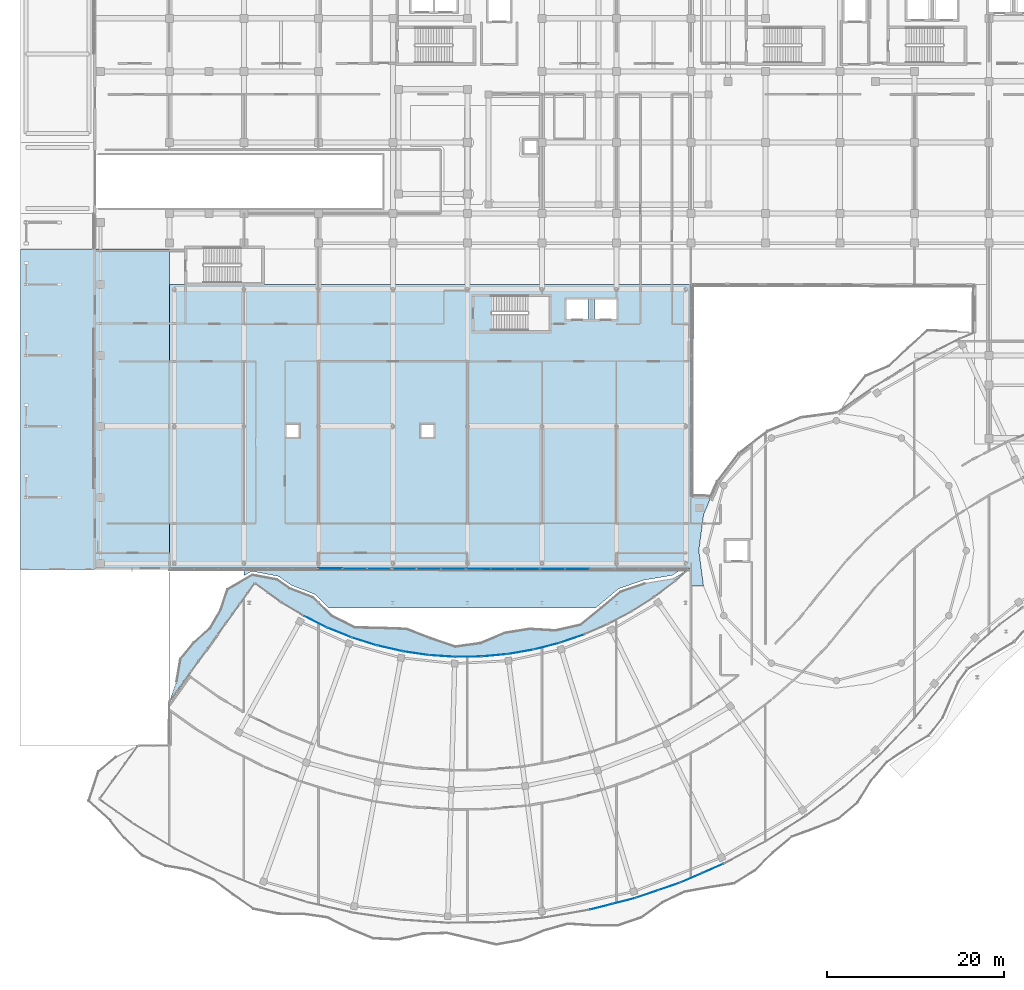
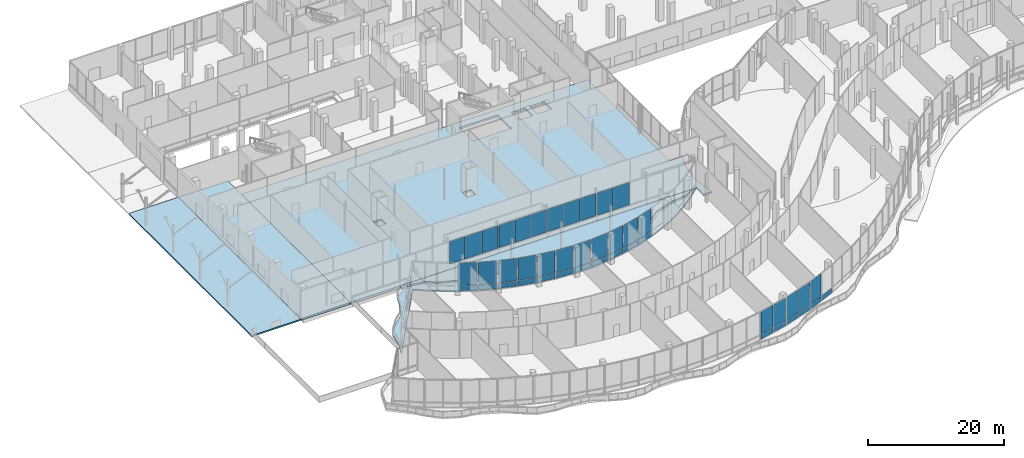
# One storey, part 121 of 158: 44 plates, 5 slabs, 18 elements without a shape of their own.
"""IFC4 building model written with IfcOpenShell, lengths in metres."""

from ifc_helpers import new_model, si_unit, direction, frame, origin, origin_2d, place, context, subcontext, project, spatial, polyline, rectangle, outline, extrude, material, layer, layer_set, type_object, element, aggregate, save


model = new_model("IFC4")

# Units and contexts
model_context = context("Model", 3, precision=1e-05, world=origin(), true_north=direction((0.0, 1.0)))
body_context = subcontext(model_context, "Body", "Model", "MODEL_VIEW")
ifc_project = project(units=[si_unit("LENGTHUNIT", "METRE"), si_unit("AREAUNIT", "SQUARE_METRE"), si_unit("VOLUMEUNIT", "CUBIC_METRE"), si_unit("PLANEANGLEUNIT", "RADIAN"), si_unit("MASSUNIT", "GRAM", prefix="KILO")], contexts=[model_context])

# Site, building, storey
site_placement = place(None, origin())
site = spatial("IfcSite", under=ifc_project, at=site_placement, CompositionType="ELEMENT")
building_placement = place(site_placement, origin())
building = spatial("IfcBuilding", under=site, at=building_placement, Name="Selatvlak General Hospital", CompositionType="ELEMENT")
storey_placement = place(building_placement, origin())
storey = spatial("IfcBuildingStorey", under=building, at=storey_placement, Name="L00", CompositionType="ELEMENT", Elevation=0.0)

# Curtain wall, plates
ifc_material_1 = material(Name="Solar-control Low-E double glazing", Category="glass")
curtain_wall_type_1 = type_object("IfcCurtainWallType", Name="CW-CW-01", PredefinedType="USERDEFINED", material=ifc_material_1)
curtain_wall_1_placement = place(storey_placement, origin())
curtain_wall_1 = element("IfcCurtainWall", 1, at=curtain_wall_1_placement, inside=storey, type_object=curtain_wall_type_1, Name="Glazed facade curtain wall CW-L00-0049", ObjectType="UNITISED CURTAIN WALL", PredefinedType="USERDEFINED")
ifc_layer_1 = layer(ifc_material_1, 0.028076171875, Name="Solar-control Low-E double glazing", Category="glass")
ifc_layer_set_1 = layer_set([ifc_layer_1], Name="Solar-control Low-E double glazing")
plate_type = type_object("IfcPlateType", Name="CWP-01", PredefinedType="CURTAIN_PANEL", material=ifc_layer_set_1)
plate_1_placement = place(storey_placement, frame((84.083984375, 18.16552734375, 0.06494140625), z_axis=(0.0, 0.0, 1.0), x_axis=(-0.916781197822, -0.399389828763, 0.0)))
plate_1 = element("IfcPlate", 2, at=plate_1_placement, type_object=plate_type, Name="CW-01 panel 1.1", PredefinedType="CURTAIN_PANEL", context=body_context, shape_type="SweptSolid", body=[
    extrude(rectangle(XDim=2.546630859375, YDim=0.028076171875, at=origin_2d()), origin(), (0.0, 0.0, 1.0), 0.8525390625),
])
plate_2_placement = place(storey_placement, frame((81.68994140625, 17.12255859375, 0.06494140625), z_axis=(0.0, 0.0, 1.0), x_axis=(-0.916781197822, -0.399389828763, 0.0)))
plate_2 = element("IfcPlate", 3, at=plate_2_placement, type_object=plate_type, Name="CW-01 panel 2.1", PredefinedType="CURTAIN_PANEL", context=body_context, shape_type="SweptSolid", body=[
    extrude(rectangle(XDim=2.546630859375, YDim=0.028076171875, at=origin_2d()), origin(), (0.0, 0.0, 1.0), 0.8525390625),
])
plate_3_placement = place(storey_placement, frame((81.68994140625, 17.12255859375, 0.982421875), z_axis=(0.0, 0.0, 1.0), x_axis=(-0.916781197822, -0.399389828763, 0.0)))
plate_3 = element("IfcPlate", 4, at=plate_3_placement, type_object=plate_type, Name="CW-01 panel 2.2", PredefinedType="CURTAIN_PANEL", context=body_context, shape_type="SweptSolid", body=[
    extrude(rectangle(XDim=2.546630859375, YDim=0.028076171875, at=origin_2d()), origin(), (0.0, 0.0, 1.0), 4.032470703125),
])
aggregate(curtain_wall_1, [plate_1, plate_2, plate_3])

curtain_wall_type_2 = type_object("IfcCurtainWallType", Name="CW-CW-02", PredefinedType="USERDEFINED", material=ifc_material_1)
curtain_wall_2_placement = place(storey_placement, origin())
curtain_wall_2 = element("IfcCurtainWall", 5, at=curtain_wall_2_placement, inside=storey, type_object=curtain_wall_type_2, Name="Glazed facade curtain wall CW-L00-0050", ObjectType="UNITISED CURTAIN WALL", PredefinedType="USERDEFINED")
plate_4_placement = place(storey_placement, frame((79.121826171875, 16.12646484375, 0.06494140625), z_axis=(0.0, 0.0, 1.0), x_axis=(-0.945848129563, -0.324609481996, 0.0)))
plate_4 = element("IfcPlate", 6, at=plate_4_placement, type_object=plate_type, Name="CW-02 panel 1.1", PredefinedType="CURTAIN_PANEL", context=body_context, shape_type="SweptSolid", body=[
    extrude(rectangle(XDim=2.547119140625, YDim=0.028076171875, at=origin_2d()), origin(), (0.0, 0.0, 1.0), 0.8525390625),
])
plate_5_placement = place(storey_placement, frame((79.121826171875, 16.12646484375, 0.982421875), z_axis=(0.0, 0.0, 1.0), x_axis=(-0.945848129563, -0.324609481996, 0.0)))
plate_5 = element("IfcPlate", 7, at=plate_5_placement, type_object=plate_type, Name="CW-02 panel 1.2", PredefinedType="CURTAIN_PANEL", context=body_context, shape_type="SweptSolid", body=[
    extrude(rectangle(XDim=2.547119140625, YDim=0.028076171875, at=origin_2d()), origin(), (0.0, 0.0, 1.0), 4.032470703125),
])
plate_6_placement = place(storey_placement, frame((76.651123046875, 15.278564453125, 0.06494140625), z_axis=(0.0, 0.0, 1.0), x_axis=(-0.945848129563, -0.324609481996, 0.0)))
plate_6 = element("IfcPlate", 8, at=plate_6_placement, type_object=plate_type, Name="CW-02 panel 2.1", PredefinedType="CURTAIN_PANEL", context=body_context, shape_type="SweptSolid", body=[
    extrude(rectangle(XDim=2.547119140625, YDim=0.028076171875, at=origin_2d()), origin(), (0.0, 0.0, 1.0), 0.8525390625),
])
plate_7_placement = place(storey_placement, frame((76.651123046875, 15.278564453125, 0.982421875), z_axis=(0.0, 0.0, 1.0), x_axis=(-0.945848129563, -0.324609481996, 0.0)))
plate_7 = element("IfcPlate", 9, at=plate_7_placement, type_object=plate_type, Name="CW-02 panel 2.2", PredefinedType="CURTAIN_PANEL", context=body_context, shape_type="SweptSolid", body=[
    extrude(rectangle(XDim=2.547119140625, YDim=0.028076171875, at=origin_2d()), origin(), (0.0, 0.0, 1.0), 4.032470703125),
])
aggregate(curtain_wall_2, [plate_4, plate_5, plate_6, plate_7])

curtain_wall_3_placement = place(storey_placement, origin())
curtain_wall_3 = element("IfcCurtainWall", 10, at=curtain_wall_3_placement, inside=storey, type_object=curtain_wall_type_1, Name="Glazed facade curtain wall CW-L00-0051", ObjectType="UNITISED CURTAIN WALL", PredefinedType="USERDEFINED")
plate_8_placement = place(storey_placement, frame((74.012939453125, 14.49072265625, 0.06494140625), z_axis=(0.0, 0.0, 1.0), x_axis=(-0.968620644098, -0.248543854938, 0.0)))
plate_8 = element("IfcPlate", 11, at=plate_8_placement, type_object=plate_type, Name="CW-01 panel 1.1", PredefinedType="CURTAIN_PANEL", context=body_context, shape_type="SweptSolid", body=[
    extrude(rectangle(XDim=2.5439453125, YDim=0.028076171875, at=origin_2d()), origin(), (0.0, 0.0, 1.0), 0.8525390625),
])
plate_9_placement = place(storey_placement, frame((74.012939453125, 14.49072265625, 0.982421875), z_axis=(0.0, 0.0, 1.0), x_axis=(-0.968620644098, -0.248543854938, 0.0)))
plate_9 = element("IfcPlate", 12, at=plate_9_placement, type_object=plate_type, Name="CW-01 panel 1.2", PredefinedType="CURTAIN_PANEL", context=body_context, shape_type="SweptSolid", body=[
    extrude(rectangle(XDim=2.5439453125, YDim=0.028076171875, at=origin_2d()), origin(), (0.0, 0.0, 1.0), 4.032470703125),
])
plate_10_placement = place(storey_placement, frame((71.486083984375, 13.84228515625, 0.06494140625), z_axis=(0.0, 0.0, 1.0), x_axis=(-0.968620644098, -0.248543854938, 0.0)))
plate_10 = element("IfcPlate", 13, at=plate_10_placement, type_object=plate_type, Name="CW-01 panel 2.1", PredefinedType="CURTAIN_PANEL", context=body_context, shape_type="SweptSolid", body=[
    extrude(rectangle(XDim=2.5439453125, YDim=0.028076171875, at=origin_2d()), origin(), (0.0, 0.0, 1.0), 0.8525390625),
])
plate_11_placement = place(storey_placement, frame((71.486083984375, 13.84228515625, 0.982421875), z_axis=(0.0, 0.0, 1.0), x_axis=(-0.968620644098, -0.248543854938, 0.0)))
plate_11 = element("IfcPlate", 14, at=plate_11_placement, type_object=plate_type, Name="CW-01 panel 2.2", PredefinedType="CURTAIN_PANEL", context=body_context, shape_type="SweptSolid", body=[
    extrude(rectangle(XDim=2.5439453125, YDim=0.028076171875, at=origin_2d()), origin(), (0.0, 0.0, 1.0), 4.032470703125),
])
aggregate(curtain_wall_3, [plate_8, plate_9, plate_10, plate_11])

curtain_wall_4_placement = place(storey_placement, origin())
curtain_wall_4 = element("IfcCurtainWall", 15, at=curtain_wall_4_placement, inside=storey, type_object=curtain_wall_type_1, Name="Glazed facade curtain wall CW-L00-0071", ObjectType="UNITISED CURTAIN WALL", PredefinedType="USERDEFINED")
plate_12_placement = place(storey_placement, frame((39.236572265625, 45.988525390625, 0.06494140625), z_axis=(0.0, 0.0, 1.0), x_axis=(0.894220339262, -0.447627060006, 0.0)))
plate_12 = element("IfcPlate", 16, at=plate_12_placement, type_object=plate_type, Name="CW-01 panel 1.1", PredefinedType="CURTAIN_PANEL", context=body_context, shape_type="SweptSolid", body=[
    extrude(rectangle(XDim=2.77197265625, YDim=0.028076171875, at=origin_2d()), origin(), (0.0, 0.0, 1.0), 0.8525390625),
])
plate_13_placement = place(storey_placement, frame((39.236572265625, 45.988525390625, 0.982421875), z_axis=(0.0, 0.0, 1.0), x_axis=(0.894220339262, -0.447627060006, 0.0)))
plate_13 = element("IfcPlate", 17, at=plate_13_placement, type_object=plate_type, Name="CW-01 panel 1.2", PredefinedType="CURTAIN_PANEL", context=body_context, shape_type="SweptSolid", body=[
    extrude(rectangle(XDim=2.77197265625, YDim=0.028076171875, at=origin_2d()), origin(), (0.0, 0.0, 1.0), 4.032470703125),
])
aggregate(curtain_wall_4, [plate_12, plate_13])

curtain_wall_5_placement = place(storey_placement, origin())
curtain_wall_5 = element("IfcCurtainWall", 18, at=curtain_wall_5_placement, inside=storey, type_object=curtain_wall_type_2, Name="Glazed facade curtain wall CW-L00-0072", ObjectType="UNITISED CURTAIN WALL", PredefinedType="USERDEFINED")
plate_14_placement = place(storey_placement, frame((41.951904296875, 44.762939453125, 0.06494140625), z_axis=(0.0, 0.0, 1.0), x_axis=(0.927043807949, -0.374953034584, 0.0)))
plate_14 = element("IfcPlate", 19, at=plate_14_placement, type_object=plate_type, Name="CW-02 panel 1.1", PredefinedType="CURTAIN_PANEL", context=body_context, shape_type="SweptSolid", body=[
    extrude(rectangle(XDim=2.771728515625, YDim=0.028076171875, at=origin_2d()), origin(), (0.0, 0.0, 1.0), 0.8525390625),
])
plate_15_placement = place(storey_placement, frame((41.951904296875, 44.762939453125, 0.982421875), z_axis=(0.0, 0.0, 1.0), x_axis=(0.927043807949, -0.374953034584, 0.0)))
plate_15 = element("IfcPlate", 20, at=plate_15_placement, type_object=plate_type, Name="CW-02 panel 1.2", PredefinedType="CURTAIN_PANEL", context=body_context, shape_type="SweptSolid", body=[
    extrude(rectangle(XDim=2.771728515625, YDim=0.028076171875, at=origin_2d()), origin(), (0.0, 0.0, 1.0), 4.032470703125),
])
aggregate(curtain_wall_5, [plate_14, plate_15])

curtain_wall_6_placement = place(storey_placement, origin())
curtain_wall_6 = element("IfcCurtainWall", 21, at=curtain_wall_6_placement, inside=storey, type_object=curtain_wall_type_1, Name="Glazed facade curtain wall CW-L00-0073", ObjectType="UNITISED CURTAIN WALL", PredefinedType="USERDEFINED")
plate_16_placement = place(storey_placement, frame((44.757568359375, 43.757080078125, 0.06494140625), z_axis=(0.0, 0.0, 1.0), x_axis=(0.953821840084, -0.300372930504, 0.0)))
plate_16 = element("IfcPlate", 22, at=plate_16_placement, type_object=plate_type, Name="CW-01 panel 1.1", PredefinedType="CURTAIN_PANEL", context=body_context, shape_type="SweptSolid", body=[
    extrude(rectangle(XDim=2.77294921875, YDim=0.028076171875, at=origin_2d()), origin(), (0.0, 0.0, 1.0), 0.8525390625),
])
plate_17_placement = place(storey_placement, frame((44.757568359375, 43.757080078125, 0.982421875), z_axis=(0.0, 0.0, 1.0), x_axis=(0.953821840084, -0.300372930504, 0.0)))
plate_17 = element("IfcPlate", 23, at=plate_17_placement, type_object=plate_type, Name="CW-01 panel 1.2", PredefinedType="CURTAIN_PANEL", context=body_context, shape_type="SweptSolid", body=[
    extrude(rectangle(XDim=2.77294921875, YDim=0.028076171875, at=origin_2d()), origin(), (0.0, 0.0, 1.0), 4.032470703125),
])
aggregate(curtain_wall_6, [plate_16, plate_17])

curtain_wall_7_placement = place(storey_placement, origin())
curtain_wall_7 = element("IfcCurtainWall", 24, at=curtain_wall_7_placement, inside=storey, type_object=curtain_wall_type_2, Name="Glazed facade curtain wall CW-L00-0074", ObjectType="UNITISED CURTAIN WALL", PredefinedType="USERDEFINED")
plate_18_placement = place(storey_placement, frame((47.633056640625, 42.9765625, 0.06494140625), z_axis=(0.0, 0.0, 1.0), x_axis=(0.974478297582, -0.224481730976, 0.0)))
plate_18 = element("IfcPlate", 25, at=plate_18_placement, type_object=plate_type, Name="CW-02 panel 1.1", PredefinedType="CURTAIN_PANEL", context=body_context, shape_type="SweptSolid", body=[
    extrude(rectangle(XDim=2.77001953125, YDim=0.028076171875, at=origin_2d()), origin(), (0.0, 0.0, 1.0), 0.8525390625),
])
plate_19_placement = place(storey_placement, frame((47.633056640625, 42.9765625, 0.982421875), z_axis=(0.0, 0.0, 1.0), x_axis=(0.974478297582, -0.224481730976, 0.0)))
plate_19 = element("IfcPlate", 26, at=plate_19_placement, type_object=plate_type, Name="CW-02 panel 1.2", PredefinedType="CURTAIN_PANEL", context=body_context, shape_type="SweptSolid", body=[
    extrude(rectangle(XDim=2.77001953125, YDim=0.028076171875, at=origin_2d()), origin(), (0.0, 0.0, 1.0), 4.032470703125),
])
aggregate(curtain_wall_7, [plate_18, plate_19])

curtain_wall_8_placement = place(storey_placement, origin())
curtain_wall_8 = element("IfcCurtainWall", 27, at=curtain_wall_8_placement, inside=storey, type_object=curtain_wall_type_1, Name="Glazed facade curtain wall CW-L00-0075", ObjectType="UNITISED CURTAIN WALL", PredefinedType="USERDEFINED")
plate_20_placement = place(storey_placement, frame((50.56005859375, 42.427001953125, 0.06494140625), z_axis=(0.0, 0.0, 1.0), x_axis=(0.989262603626, -0.146148900327, 0.0)))
plate_20 = element("IfcPlate", 28, at=plate_20_placement, type_object=plate_type, Name="CW-01 panel 1.1", PredefinedType="CURTAIN_PANEL", context=body_context, shape_type="SweptSolid", body=[
    extrude(rectangle(XDim=2.771240234375, YDim=0.028076171875, at=origin_2d()), origin(), (0.0, 0.0, 1.0), 0.8525390625),
])
plate_21_placement = place(storey_placement, frame((50.56005859375, 42.427001953125, 0.982421875), z_axis=(0.0, 0.0, 1.0), x_axis=(0.989262603626, -0.146148900327, 0.0)))
plate_21 = element("IfcPlate", 29, at=plate_21_placement, type_object=plate_type, Name="CW-01 panel 1.2", PredefinedType="CURTAIN_PANEL", context=body_context, shape_type="SweptSolid", body=[
    extrude(rectangle(XDim=2.771240234375, YDim=0.028076171875, at=origin_2d()), origin(), (0.0, 0.0, 1.0), 4.032470703125),
])
aggregate(curtain_wall_8, [plate_20, plate_21])

curtain_wall_9_placement = place(storey_placement, origin())
curtain_wall_9 = element("IfcCurtainWall", 30, at=curtain_wall_9_placement, inside=storey, type_object=curtain_wall_type_2, Name="Glazed facade curtain wall CW-L00-0076", ObjectType="UNITISED CURTAIN WALL", PredefinedType="USERDEFINED")
plate_22_placement = place(storey_placement, frame((53.52294921875, 42.111572265625, 0.06494140625), z_axis=(0.0, 0.0, 1.0), x_axis=(0.997740728699, -0.067182127799, 0.0)))
plate_22 = element("IfcPlate", 31, at=plate_22_placement, type_object=plate_type, Name="CW-02 panel 1.1", PredefinedType="CURTAIN_PANEL", context=body_context, shape_type="SweptSolid", body=[
    extrude(rectangle(XDim=2.7724609375, YDim=0.028076171875, at=origin_2d()), origin(), (0.0, 0.0, 1.0), 0.8525390625),
])
plate_23_placement = place(storey_placement, frame((53.52294921875, 42.111572265625, 0.982421875), z_axis=(0.0, 0.0, 1.0), x_axis=(0.997740728699, -0.067182127799, 0.0)))
plate_23 = element("IfcPlate", 32, at=plate_23_placement, type_object=plate_type, Name="CW-02 panel 1.2", PredefinedType="CURTAIN_PANEL", context=body_context, shape_type="SweptSolid", body=[
    extrude(rectangle(XDim=2.7724609375, YDim=0.028076171875, at=origin_2d()), origin(), (0.0, 0.0, 1.0), 4.032470703125),
])
aggregate(curtain_wall_9, [plate_22, plate_23])

curtain_wall_10_placement = place(storey_placement, origin())
curtain_wall_10 = element("IfcCurtainWall", 33, at=curtain_wall_10_placement, inside=storey, type_object=curtain_wall_type_1, Name="Glazed facade curtain wall CW-L00-0077", ObjectType="UNITISED CURTAIN WALL", PredefinedType="USERDEFINED")
plate_24_placement = place(storey_placement, frame((56.50048828125, 42.032470703125, 0.06494140625), z_axis=(0.0, 0.0, 1.0), x_axis=(0.999918562587, 0.012761982337, 0.0)))
plate_24 = element("IfcPlate", 34, at=plate_24_placement, type_object=plate_type, Name="CW-01 panel 1.1", PredefinedType="CURTAIN_PANEL", context=body_context, shape_type="SweptSolid", body=[
    extrude(rectangle(XDim=2.769287109375, YDim=0.028076171875, at=origin_2d()), origin(), (0.0, 0.0, 1.0), 0.8525390625),
])
plate_25_placement = place(storey_placement, frame((56.50048828125, 42.032470703125, 0.982421875), z_axis=(0.0, 0.0, 1.0), x_axis=(0.999918562587, 0.012761982337, 0.0)))
plate_25 = element("IfcPlate", 35, at=plate_25_placement, type_object=plate_type, Name="CW-01 panel 1.2", PredefinedType="CURTAIN_PANEL", context=body_context, shape_type="SweptSolid", body=[
    extrude(rectangle(XDim=2.769287109375, YDim=0.028076171875, at=origin_2d()), origin(), (0.0, 0.0, 1.0), 4.032470703125),
])
aggregate(curtain_wall_10, [plate_24, plate_25])

curtain_wall_11_placement = place(storey_placement, origin())
curtain_wall_11 = element("IfcCurtainWall", 36, at=curtain_wall_11_placement, inside=storey, type_object=curtain_wall_type_2, Name="Glazed facade curtain wall CW-L00-0078", ObjectType="UNITISED CURTAIN WALL", PredefinedType="USERDEFINED")
plate_26_placement = place(storey_placement, frame((59.474609375, 42.19091796875, 0.06494140625), z_axis=(0.0, 0.0, 1.0), x_axis=(0.99572483852, 0.092369074668, 0.0)))
plate_26 = element("IfcPlate", 37, at=plate_26_placement, type_object=plate_type, Name="CW-02 panel 1.1", PredefinedType="CURTAIN_PANEL", context=body_context, shape_type="SweptSolid", body=[
    extrude(rectangle(XDim=2.771484375, YDim=0.028076171875, at=origin_2d()), origin(), (0.0, 0.0, 1.0), 0.8525390625),
])
plate_27_placement = place(storey_placement, frame((59.474609375, 42.19091796875, 0.982421875), z_axis=(0.0, 0.0, 1.0), x_axis=(0.99572483852, 0.092369074668, 0.0)))
plate_27 = element("IfcPlate", 38, at=plate_27_placement, type_object=plate_type, Name="CW-02 panel 1.2", PredefinedType="CURTAIN_PANEL", context=body_context, shape_type="SweptSolid", body=[
    extrude(rectangle(XDim=2.771484375, YDim=0.028076171875, at=origin_2d()), origin(), (0.0, 0.0, 1.0), 4.032470703125),
])
aggregate(curtain_wall_11, [plate_26, plate_27])

curtain_wall_12_placement = place(storey_placement, origin())
curtain_wall_12 = element("IfcCurtainWall", 39, at=curtain_wall_12_placement, inside=storey, type_object=curtain_wall_type_1, Name="Glazed facade curtain wall CW-L00-0079", ObjectType="UNITISED CURTAIN WALL", PredefinedType="USERDEFINED")
plate_28_placement = place(storey_placement, frame((62.427001953125, 42.58544921875, 0.06494140625), z_axis=(0.0, 0.0, 1.0), x_axis=(0.985330444651, 0.170657302344, 0.0)))
plate_28 = element("IfcPlate", 40, at=plate_28_placement, type_object=plate_type, Name="CW-01 panel 1.1", PredefinedType="CURTAIN_PANEL", context=body_context, shape_type="SweptSolid", body=[
    extrude(rectangle(XDim=2.7705078125, YDim=0.028076171875, at=origin_2d()), origin(), (0.0, 0.0, 1.0), 0.8525390625),
])
plate_29_placement = place(storey_placement, frame((62.427001953125, 42.58544921875, 0.982421875), z_axis=(0.0, 0.0, 1.0), x_axis=(0.985330444651, 0.170657302344, 0.0)))
plate_29 = element("IfcPlate", 41, at=plate_29_placement, type_object=plate_type, Name="CW-01 panel 1.2", PredefinedType="CURTAIN_PANEL", context=body_context, shape_type="SweptSolid", body=[
    extrude(rectangle(XDim=2.7705078125, YDim=0.028076171875, at=origin_2d()), origin(), (0.0, 0.0, 1.0), 4.032470703125),
])
aggregate(curtain_wall_12, [plate_28, plate_29])

curtain_wall_13_placement = place(storey_placement, origin())
curtain_wall_13 = element("IfcCurtainWall", 42, at=curtain_wall_13_placement, inside=storey, type_object=curtain_wall_type_2, Name="Glazed facade curtain wall CW-L00-0080", ObjectType="UNITISED CURTAIN WALL", PredefinedType="USERDEFINED")
plate_30_placement = place(storey_placement, frame((65.340576171875, 43.212890625, 0.06494140625), z_axis=(0.0, 0.0, 1.0), x_axis=(0.968604360907, 0.248607304863, 0.0)))
plate_30 = element("IfcPlate", 43, at=plate_30_placement, type_object=plate_type, Name="CW-02 panel 1.1", PredefinedType="CURTAIN_PANEL", context=body_context, shape_type="SweptSolid", body=[
    extrude(rectangle(XDim=2.774169921875, YDim=0.028076171875, at=origin_2d()), origin(), (0.0, 0.0, 1.0), 0.8525390625),
])
plate_31_placement = place(storey_placement, frame((65.340576171875, 43.212890625, 0.982421875), z_axis=(0.0, 0.0, 1.0), x_axis=(0.968604360907, 0.248607304863, 0.0)))
plate_31 = element("IfcPlate", 44, at=plate_31_placement, type_object=plate_type, Name="CW-02 panel 1.2", PredefinedType="CURTAIN_PANEL", context=body_context, shape_type="SweptSolid", body=[
    extrude(rectangle(XDim=2.774169921875, YDim=0.028076171875, at=origin_2d()), origin(), (0.0, 0.0, 1.0), 4.032470703125),
])
aggregate(curtain_wall_13, [plate_30, plate_31])

curtain_wall_14_placement = place(storey_placement, origin())
curtain_wall_14 = element("IfcCurtainWall", 45, at=curtain_wall_14_placement, inside=storey, type_object=curtain_wall_type_1, Name="Glazed facade curtain wall CW-L00-0081", ObjectType="UNITISED CURTAIN WALL", PredefinedType="USERDEFINED")
plate_32_placement = place(storey_placement, frame((68.194580078125, 44.069580078125, 0.06494140625), z_axis=(0.0, 0.0, 1.0), x_axis=(0.945888500226, 0.324491825998, 0.0)))
plate_32 = element("IfcPlate", 46, at=plate_32_placement, type_object=plate_type, Name="CW-01 panel 1.1", PredefinedType="CURTAIN_PANEL", context=body_context, shape_type="SweptSolid", body=[
    extrude(rectangle(XDim=2.77001953125, YDim=0.028076171875, at=origin_2d()), origin(), (0.0, 0.0, 1.0), 0.8525390625),
])
plate_33_placement = place(storey_placement, frame((68.194580078125, 44.069580078125, 0.982421875), z_axis=(0.0, 0.0, 1.0), x_axis=(0.945888500226, 0.324491825998, 0.0)))
plate_33 = element("IfcPlate", 47, at=plate_33_placement, type_object=plate_type, Name="CW-01 panel 1.2", PredefinedType="CURTAIN_PANEL", context=body_context, shape_type="SweptSolid", body=[
    extrude(rectangle(XDim=2.77001953125, YDim=0.028076171875, at=origin_2d()), origin(), (0.0, 0.0, 1.0), 4.032470703125),
])
aggregate(curtain_wall_14, [plate_32, plate_33])

curtain_wall_15_placement = place(storey_placement, origin())
curtain_wall_15 = element("IfcCurtainWall", 48, at=curtain_wall_15_placement, inside=storey, type_object=curtain_wall_type_1, Name="Glazed facade curtain wall CW-L00-0088", ObjectType="UNITISED CURTAIN WALL", PredefinedType="USERDEFINED")
plate_34_placement = place(storey_placement, frame((68.77392578125, 51.91748046875, 1.0048828125), z_axis=(0.0, 0.0, 1.0), x_axis=(-0.99999835986, 0.001811153756, 0.0)))
plate_34 = element("IfcPlate", 49, at=plate_34_placement, type_object=plate_type, Name="CW-01 panel 2.1", PredefinedType="CURTAIN_PANEL", context=body_context, shape_type="SweptSolid", body=[
    extrude(rectangle(XDim=2.695556640625, YDim=0.028076171875, at=origin_2d()), origin(), (0.0, 0.0, 1.0), 4.010009765625),
])
plate_35_placement = place(storey_placement, frame((66.029541015625, 51.92236328125, 1.0048828125), z_axis=(0.0, 0.0, 1.0), x_axis=(-0.99999835986, 0.001811153756, 0.0)))
plate_35 = element("IfcPlate", 50, at=plate_35_placement, type_object=plate_type, Name="CW-01 panel 3.1", PredefinedType="CURTAIN_PANEL", context=body_context, shape_type="SweptSolid", body=[
    extrude(rectangle(XDim=2.6630859375, YDim=0.028076171875, at=origin_2d()), origin(), (0.0, 0.0, 1.0), 4.010009765625),
])
aggregate(curtain_wall_15, [plate_34, plate_35])

curtain_wall_16_placement = place(storey_placement, origin())
curtain_wall_16 = element("IfcCurtainWall", 51, at=curtain_wall_16_placement, inside=storey, type_object=curtain_wall_type_2, Name="Glazed facade curtain wall CW-L00-0089", ObjectType="UNITISED CURTAIN WALL", PredefinedType="USERDEFINED")
plate_36_placement = place(storey_placement, frame((63.156494140625, 51.927490234375, 1.0048828125), z_axis=(0.0, 0.0, 1.0), x_axis=(-0.99999835986, 0.001811153756, 0.0)))
plate_36 = element("IfcPlate", 52, at=plate_36_placement, type_object=plate_type, Name="CW-02 panel 1.1", PredefinedType="CURTAIN_PANEL", context=body_context, shape_type="SweptSolid", body=[
    extrude(rectangle(XDim=2.6630859375, YDim=0.028076171875, at=origin_2d()), origin(), (0.0, 0.0, 1.0), 4.010009765625),
])
plate_37_placement = place(storey_placement, frame((60.412109375, 51.9326171875, 1.0048828125), z_axis=(0.0, 0.0, 1.0), x_axis=(-0.99999835986, 0.001811153756, 0.0)))
plate_37 = element("IfcPlate", 53, at=plate_37_placement, type_object=plate_type, Name="CW-02 panel 2.1", PredefinedType="CURTAIN_PANEL", context=body_context, shape_type="SweptSolid", body=[
    extrude(rectangle(XDim=2.695556640625, YDim=0.028076171875, at=origin_2d()), origin(), (0.0, 0.0, 1.0), 4.010009765625),
])
plate_38_placement = place(storey_placement, frame((57.66748046875, 51.9375, 1.0048828125), z_axis=(0.0, 0.0, 1.0), x_axis=(-0.99999835986, 0.001811153756, 0.0)))
plate_38 = element("IfcPlate", 54, at=plate_38_placement, type_object=plate_type, Name="CW-02 panel 3.1", PredefinedType="CURTAIN_PANEL", context=body_context, shape_type="SweptSolid", body=[
    extrude(rectangle(XDim=2.6630859375, YDim=0.028076171875, at=origin_2d()), origin(), (0.0, 0.0, 1.0), 4.010009765625),
])
aggregate(curtain_wall_16, [plate_36, plate_37, plate_38])

curtain_wall_17_placement = place(storey_placement, origin())
curtain_wall_17 = element("IfcCurtainWall", 55, at=curtain_wall_17_placement, inside=storey, type_object=curtain_wall_type_1, Name="Glazed facade curtain wall CW-L00-0090", ObjectType="UNITISED CURTAIN WALL", PredefinedType="USERDEFINED")
plate_39_placement = place(storey_placement, frame((54.794677734375, 51.942626953125, 1.0048828125), z_axis=(0.0, 0.0, 1.0), x_axis=(-0.999998359464, 0.001811372463, 0.0)))
plate_39 = element("IfcPlate", 56, at=plate_39_placement, type_object=plate_type, Name="CW-01 panel 1.1", PredefinedType="CURTAIN_PANEL", context=body_context, shape_type="SweptSolid", body=[
    extrude(rectangle(XDim=2.662841796875, YDim=0.028076171875, at=origin_2d()), origin(), (0.0, 0.0, 1.0), 4.010009765625),
])
plate_40_placement = place(storey_placement, frame((52.050537109375, 51.947509765625, 1.0048828125), z_axis=(0.0, 0.0, 1.0), x_axis=(-0.999998359464, 0.001811372463, 0.0)))
plate_40 = element("IfcPlate", 57, at=plate_40_placement, type_object=plate_type, Name="CW-01 panel 2.1", PredefinedType="CURTAIN_PANEL", context=body_context, shape_type="SweptSolid", body=[
    extrude(rectangle(XDim=2.6953125, YDim=0.028076171875, at=origin_2d()), origin(), (0.0, 0.0, 1.0), 4.010009765625),
])
plate_41_placement = place(storey_placement, frame((49.306396484375, 51.952392578125, 1.0048828125), z_axis=(0.0, 0.0, 1.0), x_axis=(-0.999998359464, 0.001811372463, 0.0)))
plate_41 = element("IfcPlate", 58, at=plate_41_placement, type_object=plate_type, Name="CW-01 panel 3.1", PredefinedType="CURTAIN_PANEL", context=body_context, shape_type="SweptSolid", body=[
    extrude(rectangle(XDim=2.662841796875, YDim=0.028076171875, at=origin_2d()), origin(), (0.0, 0.0, 1.0), 4.010009765625),
])
aggregate(curtain_wall_17, [plate_39, plate_40, plate_41])

curtain_wall_18_placement = place(storey_placement, origin())
curtain_wall_18 = element("IfcCurtainWall", 59, at=curtain_wall_18_placement, inside=storey, type_object=curtain_wall_type_2, Name="Glazed facade curtain wall CW-L00-0091", ObjectType="UNITISED CURTAIN WALL", PredefinedType="USERDEFINED")
plate_42_placement = place(storey_placement, frame((46.433349609375, 51.95751953125, 1.0048828125), z_axis=(0.0, 0.0, 1.0), x_axis=(-0.99999835986, 0.001811153756, 0.0)))
plate_42 = element("IfcPlate", 60, at=plate_42_placement, type_object=plate_type, Name="CW-02 panel 1.1", PredefinedType="CURTAIN_PANEL", context=body_context, shape_type="SweptSolid", body=[
    extrude(rectangle(XDim=2.6630859375, YDim=0.028076171875, at=origin_2d()), origin(), (0.0, 0.0, 1.0), 4.010009765625),
])
plate_43_placement = place(storey_placement, frame((43.68896484375, 51.96240234375, 1.0048828125), z_axis=(0.0, 0.0, 1.0), x_axis=(-0.99999835986, 0.001811153756, 0.0)))
plate_43 = element("IfcPlate", 61, at=plate_43_placement, type_object=plate_type, Name="CW-02 panel 2.1", PredefinedType="CURTAIN_PANEL", context=body_context, shape_type="SweptSolid", body=[
    extrude(rectangle(XDim=2.695556640625, YDim=0.028076171875, at=origin_2d()), origin(), (0.0, 0.0, 1.0), 4.010009765625),
])
plate_44_placement = place(storey_placement, frame((40.944580078125, 51.967529296875, 1.0048828125), z_axis=(0.0, 0.0, 1.0), x_axis=(-0.99999835986, 0.001811153756, 0.0)))
plate_44 = element("IfcPlate", 62, at=plate_44_placement, type_object=plate_type, Name="CW-02 panel 3.1", PredefinedType="CURTAIN_PANEL", context=body_context, shape_type="SweptSolid", body=[
    extrude(rectangle(XDim=2.6630859375, YDim=0.028076171875, at=origin_2d()), origin(), (0.0, 0.0, 1.0), 4.010009765625),
])
aggregate(curtain_wall_18, [plate_42, plate_43, plate_44])

# Slabs
ifc_material_2 = material(Name="Concrete C35/45", Category="concrete")
ifc_layer_2 = layer(ifc_material_2, 0.2451171875, Name="Concrete C35/45", Category="concrete")
ifc_layer_set_2 = layer_set([ifc_layer_2], Name="Concrete C35/45")
slab_type_1 = type_object("IfcSlabType", Name="SLAB-SL-AP1", PredefinedType="BASESLAB", material=ifc_layer_set_2)
slab_1_placement = place(storey_placement, frame((0.0, 0.0, -0.2451171875)))
element("IfcSlab", 63, at=slab_1_placement, inside=storey, type_object=slab_type_1, Name="Ground colonnade and entrance deck SL-APRON-AMBULANCE-1", PredefinedType="BASESLAB", context=body_context, shape_type="SweptSolid", body=[
    extrude(outline(polyline([(14.39208984375, 52.01806640625), (14.3798828125, 52.0), (14.3798828125, 51.8701171875), (6.02001953125, 51.8701171875), (6.02001953125, 87.97998046875), (14.39208984375, 87.97998046875), (14.39208984375, 52.01806640625)])), origin(), (0.0, 0.0, 1.0), 0.2451171875),
])
slab_2_placement = place(storey_placement, frame((0.0, 0.0, -0.2451171875)))
element("IfcSlab", 64, at=slab_2_placement, inside=storey, type_object=slab_type_1, Name="Ground colonnade and entrance deck SL-COLONNADE-HALL", PredefinedType="BASESLAB", context=body_context, shape_type="SweptSolid", body=[
    extrude(outline(polyline([(80.721923828125, 51.991943359375), (79.464111328125, 51.196044921875), (76.318115234375, 50.6708984375), (76.2880859375, 50.6640625), (76.257080078125, 50.655029296875), (73.52392578125, 49.72412109375), (73.490966796875, 49.7109375), (73.458984375, 49.695068359375), (73.427978515625, 49.676025390625), (73.39990234375, 49.655029296875), (71.2060546875, 47.81396484375), (70.844970703125, 47.52001953125), (40.791015625, 47.52001953125), (39.2890625, 48.9990234375), (39.260009765625, 49.02490234375), (39.22802734375, 49.049072265625), (39.194091796875, 49.068115234375), (39.156982421875, 49.0849609375), (36.52294921875, 50.10498046875), (35.177978515625, 51.051025390625), (35.14404296875, 51.072998046875), (35.10595703125, 51.091064453125), (35.068115234375, 51.10498046875), (35.027099609375, 51.114990234375), (32.215087890625, 51.64599609375), (32.176025390625, 51.652099609375), (32.136962890625, 51.653076171875), (32.096923828125, 51.64990234375), (32.05810546875, 51.64404296875), (32.02001953125, 51.633056640625), (31.98291015625, 51.617919921875), (31.947998046875, 51.60009765625), (31.219970703125, 51.175048828125), (31.219970703125, 51.991943359375), (80.721923828125, 51.991943359375)])), origin(), (0.0, 0.0, 1.0), 0.2451171875),
])
ifc_material_3 = material(Name="Concrete C40/50", Category="concrete")
ifc_layer_3 = layer(ifc_material_3, 0.235107421875, Name="Concrete C40/50", Category="concrete")
ifc_layer_set_3 = layer_set([ifc_layer_3], Name="Concrete C40/50")
slab_type_2 = type_object("IfcSlabType", Name="SLAB-SL-BL0", PredefinedType="FLOOR", material=ifc_layer_set_3)
slab_3_placement = place(storey_placement, frame((0.0, 0.0, -0.235107421875)))
element("IfcSlab", 65, at=slab_3_placement, inside=storey, type_object=slab_type_2, Name="L00 S-curve sunshade balcony 2", PredefinedType="FLOOR", context=body_context, shape_type="SweptSolid", body=[
    extrude(outline(polyline([(46.69189453125, 45.277099609375), (49.5380859375, 45.1708984375), (52.217041015625, 44.131103515625), (55.02001953125, 43.173095703125), (57.886962890625, 43.569091796875), (60.616943359375, 44.72412109375), (63.37109375, 45.169921875), (66.340087890625, 44.992919921875), (69.156005859375, 45.64306640625), (71.452880859375, 47.514892578125), (73.64892578125, 49.35693359375), (76.382080078125, 50.2880859375), (79.60498046875, 50.825927734375), (81.333984375, 51.919921875), (81.363037109375, 51.919921875), (79.8291015625, 50.551025390625), (77.455078125, 48.75), (74.944091796875, 47.14306640625), (72.31201171875, 45.739990234375), (69.580078125, 44.551025390625), (66.762939453125, 43.583984375), (63.8720703125, 42.841064453125), (60.93505859375, 42.3310546875), (57.967041015625, 42.055908203125), (54.988037109375, 42.01806640625), (52.012939453125, 42.218017578125), (49.06396484375, 42.652099609375), (46.158935546875, 43.320068359375), (43.31494140625, 44.217041015625), (40.551025390625, 45.3359375), (37.885009765625, 46.669921875), (35.3359375, 48.2119140625), (32.43994140625, 50.31005859375), (22.8798828125, 37.028076171875), (22.8798828125, 37.136962890625), (23.610107421875, 39.22998046875), (24.054931640625, 41.81396484375), (25.56103515625, 43.635009765625), (27.3720703125, 45.236083984375), (28.56591796875, 47.281982421875), (29.342041015625, 49.6279296875), (32.14306640625, 51.264892578125), (34.955078125, 50.73388671875), (36.339111328125, 49.760009765625), (39.01708984375, 48.722900390625), (41.137939453125, 46.634033203125), (43.718017578125, 45.340087890625), (46.69189453125, 45.277099609375)])), origin(), (0.0, 0.0, 1.0), 0.235107421875),
])
ifc_layer_4 = layer(ifc_material_3, 0.35009765625, Name="Concrete C40/50", Category="concrete")
ifc_layer_set_4 = layer_set([ifc_layer_4], Name="Concrete C40/50")
slab_type_3 = type_object("IfcSlabType", Name="SLAB-SL-FL0", PredefinedType="FLOOR", material=ifc_layer_set_4)
slab_4_placement = place(storey_placement, frame((0.0, 0.0, -0.35009765625)))
element("IfcSlab", 66, at=slab_4_placement, inside=storey, type_object=slab_type_3, Name="L00 V2 structural slab", PredefinedType="FLOOR", context=body_context, shape_type="SweptSolid", body=[
    extrude(outline(polyline([(14.39990234375, 52.0), (14.39990234375, 88.0), (22.800048828125, 88.0), (22.800048828125, 52.0), (14.39990234375, 52.0)])), origin(), (0.0, 0.0, 1.0), 0.35009765625),
])
slab_5_placement = place(storey_placement, frame((0.0, 0.0, -0.35009765625)))
element("IfcSlab", 67, at=slab_5_placement, inside=storey, type_object=slab_type_3, Name="L00 V3H structural slab", PredefinedType="FLOOR", context=body_context, shape_type="SweptSolid", body=[
    extrude(outline(polyline([(83.02001953125, 58.013916015625), (82.491943359375, 54.0009765625), (83.01806640625, 50.0), (81.60009765625, 50.0), (81.60009765625, 52.0), (22.80810546875, 52.0), (22.80810546875, 84.0), (81.60009765625, 84.0), (81.60009765625, 60.0), (83.843017578125, 60.0), (83.02001953125, 58.013916015625)]), holes=[polyline([(65.60009765625, 78.800048828125), (65.60009765625, 82.739990234375), (59.10498046875, 82.739990234375), (59.10498046875, 78.800048828125), (65.60009765625, 78.800048828125)]), polyline([(70.0, 80.10009765625), (70.0, 82.300048828125), (67.60009765625, 82.300048828125), (67.60009765625, 80.10009765625), (70.0, 80.10009765625)]), polyline([(70.800048828125, 80.10009765625), (73.199951171875, 80.10009765625), (73.199951171875, 82.300048828125), (70.800048828125, 82.300048828125), (70.800048828125, 80.10009765625)]), polyline([(51.199951171875, 68.199951171875), (51.199951171875, 66.800048828125), (52.60009765625, 66.800048828125), (52.60009765625, 68.199951171875), (51.199951171875, 68.199951171875)]), polyline([(37.39990234375, 68.199951171875), (36.0, 68.199951171875), (36.0, 66.800048828125), (37.39990234375, 66.800048828125), (37.39990234375, 68.199951171875)])]), origin(), (0.0, 0.0, 1.0), 0.35009765625),
])

save(model, "model.ifc")
